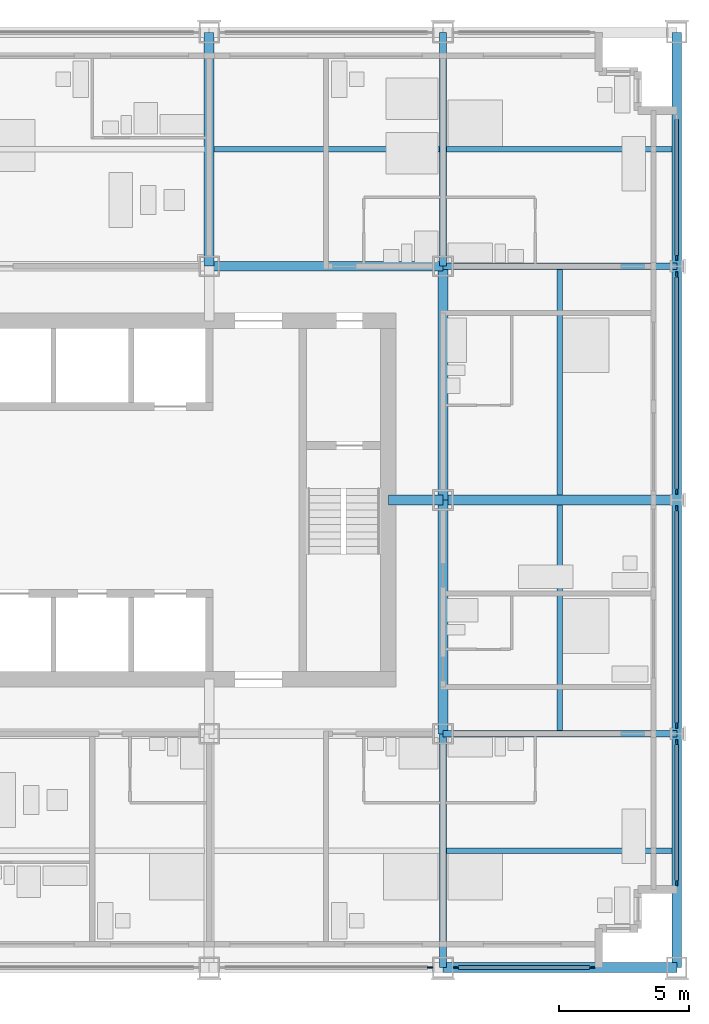
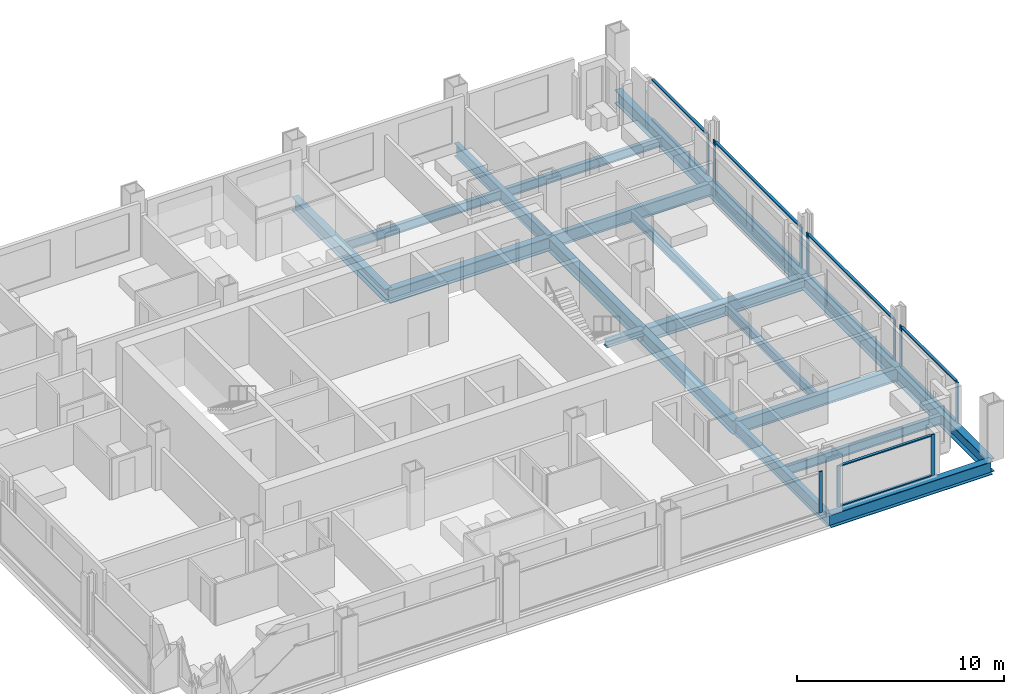
# One storey, part 5 of 16: 21 members, 19 beams, 6 elements without a shape of their own.
"""IFC4 building model written with IfcOpenShell, lengths in metres."""

import ifcopenshell
import ifcopenshell.guid

model = None  # the IFC model being written
_history = None  # IfcOwnerHistory: only IFC2X3 demands one
_inside = {}  # id of a spatial element -> (the spatial element, [elements in it])
_under = {}  # id of a project, library or spatial element -> (it, [spatial elements below it])
_declared = {}  # id of a project -> (the project, [libraries it declares])
_typed = {}  # id of a type object -> (the type object, [elements of that type])
_made_of = {}  # id of a material, layer set ... -> (it, [elements and type objects made of it])


def new_model(schema):
    """Start an empty IFC model of exactly this schema.

    Asked for "IFC4X3", IfcOpenShell would pick the latest addendum, in which some entities
    have other attributes; the version numbers below select the first issue.
    IFC2X3 requires an IfcOwnerHistory on every rooted entity: one is made here for all.
    """
    global model, _history
    if schema == "IFC4X3":
        model = ifcopenshell.file(schema_version=(4, 3, 0, 0))
    else:
        model = ifcopenshell.file(schema=schema)
    _inside.clear()
    _under.clear()
    _declared.clear()
    _typed.clear()
    _made_of.clear()
    _history = None
    if model.schema == "IFC2X3":
        org = make("IfcOrganization", Name="unknown")
        user = make(
            "IfcPersonAndOrganization",
            ThePerson=make("IfcPerson", FamilyName="unknown"),
            TheOrganization=org,
        )
        app = make(
            "IfcApplication",
            ApplicationDeveloper=org,
            Version="unknown",
            ApplicationFullName="unknown",
            ApplicationIdentifier="unknown",
        )
        _history = make(
            "IfcOwnerHistory",
            OwningUser=user,
            OwningApplication=app,
            ChangeAction="ADDED",
            CreationDate=0,
        )
    return model


def make(cls, **values):
    """One entity of the class cls with the attributes given. An attribute that is None is left unset."""
    return model.create_entity(
        cls, **{name: value for name, value in values.items() if value is not None}
    )


def rooted(cls, **values):
    """An entity with a GlobalId (a new one), such as an element, a storey or a relation."""
    return make(cls, GlobalId=ifcopenshell.guid.new(), OwnerHistory=_history, **values)


def si_unit(unit_type, name, prefix=None):
    """IfcSIUnit, for example si_unit("LENGTHUNIT", "METRE", prefix="MILLI")."""
    return make("IfcSIUnit", UnitType=unit_type, Prefix=prefix, Name=name)


def assignment(units):
    """IfcUnitAssignment: the units of a project."""
    return None if units is None else make("IfcUnitAssignment", Units=units)


def point(xyz):
    """IfcCartesianPoint."""
    return None if xyz is None else make("IfcCartesianPoint", Coordinates=xyz)


def direction(xyz):
    """IfcDirection."""
    return None if xyz is None else make("IfcDirection", DirectionRatios=xyz)


def frame(location, z_axis=None, x_axis=None):
    """IfcAxis2Placement3D, a coordinate frame: its origin and axes. An axis left out is left unset."""
    return make(
        "IfcAxis2Placement3D",
        Location=point(location),
        Axis=direction(z_axis),
        RefDirection=direction(x_axis),
    )


def frame_2d(location, x_axis=None):
    """IfcAxis2Placement2D, a coordinate frame in the plane: its origin and x axis."""
    return make(
        "IfcAxis2Placement2D", Location=point(location), RefDirection=direction(x_axis)
    )


def origin():
    """The frame at (0, 0, 0) with its axes left unset."""
    return frame((0.0, 0.0, 0.0))


def origin_2d():
    """The frame at (0, 0) in the plane with its x axis left unset."""
    return frame_2d((0.0, 0.0))


def place(relative_to, where):
    """IfcLocalPlacement: puts the frame where relative to a parent placement (None: the world)."""
    return make(
        "IfcLocalPlacement", PlacementRelTo=relative_to, RelativePlacement=where
    )


def context(
    kind, dimensions, precision=None, world=None, true_north=None, identifier=None
):
    """IfcGeometricRepresentationContext, for example the 3D "Model" context."""
    return make(
        "IfcGeometricRepresentationContext",
        ContextIdentifier=identifier,
        ContextType=kind,
        CoordinateSpaceDimension=dimensions,
        Precision=precision,
        WorldCoordinateSystem=world,
        TrueNorth=true_north,
    )


def subcontext(parent, identifier, kind, view, scale=None):
    """IfcGeometricRepresentationSubContext, for example "Body" below "Model"."""
    return make(
        "IfcGeometricRepresentationSubContext",
        ContextIdentifier=identifier,
        ContextType=kind,
        ParentContext=parent,
        TargetScale=scale,
        TargetView=view,
    )


def project(units=None, contexts=None):
    """IfcProject with its units and contexts."""
    return rooted(
        "IfcProject",
        Name="project",
        RepresentationContexts=contexts,
        UnitsInContext=assignment(units),
    )


def spatial(cls, under=None, at=None, **own):
    """A site, building, storey or space (cls), placed at a placement, below another one or the project."""
    s = rooted(cls, ObjectPlacement=at, **own)
    if under is not None:
        _under.setdefault(under.id(), (under, []))[1].append(s)
    return s


def profile(cls, at=None, kind="AREA", **sizes):
    """A parametric profile (cls). Its sizes go by their IFC names, for example OverallWidth=200.0."""
    return make(cls, ProfileType=kind, Position=at, **sizes)


def rectangle(**sizes):
    """IfcRectangleProfileDef."""
    return profile("IfcRectangleProfileDef", **sizes)


def i_section(**sizes):
    """IfcIShapeProfileDef."""
    return profile("IfcIShapeProfileDef", **sizes)


def extrude(swept, where, along, depth):
    """IfcExtrudedAreaSolid: the profile swept, set in the frame where, extruded along a direction by depth."""
    return make(
        "IfcExtrudedAreaSolid",
        SweptArea=swept,
        Position=where,
        ExtrudedDirection=direction(along),
        Depth=depth,
    )


def shape(context_of_items, identifier, shape_type, items):
    """IfcShapeRepresentation: the items that make up one representation, for example the "Body"."""
    return make(
        "IfcShapeRepresentation",
        ContextOfItems=context_of_items,
        RepresentationIdentifier=identifier,
        RepresentationType=shape_type,
        Items=items,
    )


def material(Name=None, Category=None):
    """IfcMaterial."""
    return make("IfcMaterial", Name=Name, Category=Category)


def material_profile(
    of_material, cross_section, Name=None, Category=None, Priority=None
):
    """IfcMaterialProfile: a cross section and its material."""
    return make(
        "IfcMaterialProfile",
        Name=Name,
        Material=of_material,
        Profile=cross_section,
        Priority=Priority,
        Category=Category,
    )


def profile_set(profiles, Name=None, composite=None):
    """IfcMaterialProfileSet."""
    return make(
        "IfcMaterialProfileSet",
        Name=Name,
        MaterialProfiles=profiles,
        CompositeProfile=composite,
    )


def made_of(thing, what):
    """Note that an element or type object is made of a material, layer set ...; save() writes the relation."""
    if what is not None:
        _made_of.setdefault(what.id(), (what, []))[1].append(thing)
    return thing


def type_object(cls, material=None, **own):
    """A type object (cls), such as IfcWallType, which elements share."""
    return made_of(rooted(cls, **own), material)


def element(
    cls,
    number,
    at=None,
    inside=None,
    cuts=None,
    type_object=None,
    material=None,
    context=None,
    identifier="Body",
    shape_type=None,
    held_by="IfcProductDefinitionShape",
    body=None,
    shapes=None,
    **own,
):
    """One element of the class cls, such as IfcWall. Its Tag is "e" and its number.

    at: its placement. inside: the storey or other place that contains it. cuts: it is an
    opening in that element (IfcRelVoidsElement). A single representation is given by context,
    identifier, shape_type and body (its items); several are given by shapes. held_by: the class
    of the entity that holds the representations. save() writes the other relations.
    """
    e = rooted(cls, Tag="e%d" % number, ObjectPlacement=at, **own)
    if body is not None:
        shapes = [shape(context, identifier, shape_type, body)]
    if shapes is not None:
        e.Representation = make(held_by, Representations=shapes)
    if inside is not None:
        _inside.setdefault(inside.id(), (inside, []))[1].append(e)
    if cuts is not None:
        rooted(
            "IfcRelVoidsElement", RelatingBuildingElement=cuts, RelatedOpeningElement=e
        )
    if type_object is not None:
        _typed.setdefault(type_object.id(), (type_object, []))[1].append(e)
    return made_of(e, material)


def aggregate(whole, parts):
    """IfcRelAggregates: a whole, such as a stair, and the parts it consists of."""
    return rooted("IfcRelAggregates", RelatingObject=whole, RelatedObjects=parts)


def save(model, path):
    """Write the relations noted so far, then the file.

    IfcRelAggregates (storeys below a building ...), IfcRelContainedInSpatialStructure (elements
    in a storey), IfcRelDefinesByType, IfcRelAssociatesMaterial and IfcRelDeclares: one each for
    every whole, place, type object, material and project.
    """
    for whole, parts in _under.values():
        aggregate(whole, parts)
    for where, things in _inside.values():
        rooted(
            "IfcRelContainedInSpatialStructure",
            RelatedElements=things,
            RelatingStructure=where,
        )
    for kind, things in _typed.values():
        rooted("IfcRelDefinesByType", RelatedObjects=things, RelatingType=kind)
    for what, things in _made_of.values():
        rooted("IfcRelAssociatesMaterial", RelatedObjects=things, RelatingMaterial=what)
    for by, libraries in _declared.values():
        rooted("IfcRelDeclares", RelatingContext=by, RelatedDefinitions=libraries)
    model.write(path)


model = new_model("IFC4")

# Units and contexts
model_context = context("Model", 3, precision=1e-05, world=origin(), true_north=direction((0.0, 1.0)))
body_context = subcontext(model_context, "Body", "Model", "MODEL_VIEW")
ifc_project = project(units=[si_unit("LENGTHUNIT", "METRE"), si_unit("AREAUNIT", "SQUARE_METRE"), si_unit("VOLUMEUNIT", "CUBIC_METRE"), si_unit("PLANEANGLEUNIT", "RADIAN"), si_unit("MASSUNIT", "GRAM", prefix="KILO")], contexts=[model_context])

# Site, building, storey
site_placement = place(None, origin())
site = spatial("IfcSite", under=ifc_project, at=site_placement, CompositionType="ELEMENT")
building_placement = place(site_placement, origin())
building = spatial("IfcBuilding", under=site, at=building_placement, Name="Loomwork Tower", CompositionType="ELEMENT")
storey_placement = place(building_placement, frame((0.0, 0.0, 124.800048828125)))
storey = spatial("IfcBuildingStorey", under=building, at=storey_placement, Name="L33", CompositionType="ELEMENT", Elevation=124.800048828125)

# Beams
ifc_material_1 = material(Name="Steel ASTM A992", Category="steel")
ifc_material_profile_1 = material_profile(ifc_material_1, i_section(OverallWidth=0.383544921875, OverallDepth=0.794921875, WebThickness=0.02099609375, FlangeThickness=0.0380859375, at=origin_2d()), Name="W30x235")
ifc_profile_set_1 = profile_set([ifc_material_profile_1], Name="Steel ASTM A992")
beam_type_1 = type_object("IfcBeamType", Name="CORE FLANK GIRDER W30x235", PredefinedType="BEAM", material=ifc_profile_set_1)
for number, where, z_axis, x_axis, name in (
    (1, (36.0, 18.0, -0.59765625), (1.0, 0.0, 0.0), (0.0, 1.0, 0.0), "Core Flank Girder F/6-F/7 L33"),
    (2, (27.0, 27.0, -0.59765625), (1.0, 0.0, 0.0), (0.0, 1.0, 0.0), "Core Flank Girder G/5-G/6 L33"),
    (3, (27.0, 27.0, -0.59765625), (0.0, 1.0, 0.0), (-1.0, 0.0, 0.0), "Core Flank Girder G/5-H/5 L33"),
    (4, (36.0, 9.0, -0.59765625), (0.0, 1.0, 0.0), (-1.0, 0.0, 0.0), "Core Flank Girder E/6-F/6 L33"),
    (5, (36.0, 18.0, -0.59765625), (0.0, 1.0, 0.0), (-1.0, 0.0, 0.0), "Core Flank Girder F/6-G/6 L33"),
):
    element("IfcBeam", number, at=place(storey_placement, frame(where, z_axis=z_axis, x_axis=x_axis)), inside=storey, type_object=beam_type_1, Name=name, PredefinedType="BEAM", context=body_context, shape_type="SweptSolid", body=[
        extrude(i_section(OverallWidth=0.383544921875, OverallDepth=0.794921875, WebThickness=0.02099609375, FlangeThickness=0.0380859375, at=origin_2d()), origin(), (0.0, 0.0, 1.0), 9.0),
    ])

# Member
ifc_material_2 = material(Name="Steel ASTM A992", Category="steel")
ifc_material_profile_2 = material_profile(ifc_material_2, i_section(OverallWidth=0.373291015625, OverallDepth=0.373291015625, WebThickness=0.016357421875, FlangeThickness=0.026123046875, at=origin_2d()), Name="W14x132")
ifc_profile_set_2 = profile_set([ifc_material_profile_2], Name="Steel ASTM A992")
member_type_1 = type_object("IfcMemberType", Name="CORE LINK STRUT W14x132", PredefinedType="STRUT", material=ifc_profile_set_2)
member_1_placement = place(storey_placement, frame((36.0, 18.0, -0.38671875), z_axis=(-1.0, 0.0, 0.0), x_axis=(0.0, -1.0, 0.0)))
element("IfcMember", 6, at=member_1_placement, inside=storey, type_object=member_type_1, Name="Core link strut F/6-33.900,18.000 L33", PredefinedType="STRUT", context=body_context, shape_type="SweptSolid", body=[
    extrude(i_section(OverallWidth=0.373291015625, OverallDepth=0.373291015625, WebThickness=0.016357421875, FlangeThickness=0.026123046875, at=origin_2d()), origin(), (0.0, 0.0, 1.0), 2.10009765625),
])

# Beams
ifc_material_3 = material(Name="Steel ASTM A992", Category="steel")
ifc_material_profile_3 = material_profile(ifc_material_3, i_section(OverallWidth=0.2666015625, OverallDepth=0.761962890625, WebThickness=0.014404296875, FlangeThickness=0.021484375, at=origin_2d()), Name="W30x116")
ifc_profile_set_3 = profile_set([ifc_material_profile_3], Name="Steel ASTM A992")
beam_type_2 = type_object("IfcBeamType", Name="FLOOR GIRDER W30x116", PredefinedType="BEAM", material=ifc_profile_set_3)
for number, where, z_axis, x_axis, name in (
    (7, (36.0, 9.0, -0.5810546875), (1.0, 0.0, 0.0), (0.0, 1.0, 0.0), "Floor Girder E/6-E/7 L33"),
    (8, (36.0, 27.0, -0.5810546875), (1.0, 0.0, 0.0), (0.0, 1.0, 0.0), "Floor Girder G/6-G/7 L33"),
    (9, (36.0, 0.0, -0.5810546875), (0.0, 1.0, 0.0), (-1.0, 0.0, 0.0), "Floor Girder D/6-E/6 L33"),
    (10, (36.0, 27.0, -0.5810546875), (0.0, 1.0, 0.0), (-1.0, 0.0, 0.0), "Floor Girder G/6-H/6 L33"),
):
    element("IfcBeam", number, at=place(storey_placement, frame(where, z_axis=z_axis, x_axis=x_axis)), inside=storey, type_object=beam_type_2, Name=name, PredefinedType="BEAM", context=body_context, shape_type="SweptSolid", body=[
        extrude(i_section(OverallWidth=0.2666015625, OverallDepth=0.761962890625, WebThickness=0.014404296875, FlangeThickness=0.021484375, at=origin_2d()), origin(), (0.0, 0.0, 1.0), 9.0),
    ])
ifc_material_4 = material(Name="Steel ASTM A992", Category="steel")
ifc_material_profile_4 = material_profile(ifc_material_4, i_section(OverallWidth=0.2109375, OverallDepth=0.53857421875, WebThickness=0.011474609375, FlangeThickness=0.018798828125, at=origin_2d()), Name="W21x73")
ifc_profile_set_4 = profile_set([ifc_material_profile_4], Name="Steel ASTM A992")
beam_type_3 = type_object("IfcBeamType", Name="FLOOR JOIST W21x73", PredefinedType="JOIST", material=ifc_profile_set_4)
beam_1_placement = place(storey_placement, frame((27.19091796875, 31.5, -0.46923828125), z_axis=(1.0, 0.0, 0.0), x_axis=(0.0, 1.0, 0.0)))
element("IfcBeam", 11, at=beam_1_placement, inside=storey, type_object=beam_type_3, Name="Floor Joist 27.000,31.500-36.000,31.500 L33", PredefinedType="JOIST", context=body_context, shape_type="SweptSolid", body=[
    extrude(i_section(OverallWidth=0.2109375, OverallDepth=0.53857421875, WebThickness=0.011474609375, FlangeThickness=0.018798828125, at=origin_2d()), origin(), (0.0, 0.0, 1.0), 8.676025390625),
])
beam_2_placement = place(storey_placement, frame((36.133056640625, 4.5, -0.46923828125), z_axis=(1.0, 0.0, 0.0), x_axis=(0.0, 1.0, 0.0)))
element("IfcBeam", 12, at=beam_2_placement, inside=storey, type_object=beam_type_3, Name="Floor Joist 36.000,4.500-45.000,4.500 L33", PredefinedType="JOIST", context=body_context, shape_type="SweptSolid", body=[
    extrude(i_section(OverallWidth=0.2109375, OverallDepth=0.53857421875, WebThickness=0.011474609375, FlangeThickness=0.018798828125, at=origin_2d()), origin(), (0.0, 0.0, 1.0), 8.677001953125),
])
for number, where, z_axis, x_axis, name in (
    (13, (40.5, 9.133056640625, -0.46923828125), (0.0, 1.0, 0.0), (-1.0, 0.0, 0.0), "Floor Joist 40.500,9.000-40.500,18.000 L33"),
    (14, (40.5, 18.19091796875, -0.46923828125), (0.0, 1.0, 0.0), (-1.0, 0.0, 0.0), "Floor Joist 40.500,18.000-40.500,27.000 L33"),
):
    element("IfcBeam", number, at=place(storey_placement, frame(where, z_axis=z_axis, x_axis=x_axis)), inside=storey, type_object=beam_type_3, Name=name, PredefinedType="JOIST", context=body_context, shape_type="SweptSolid", body=[
        extrude(i_section(OverallWidth=0.2109375, OverallDepth=0.53857421875, WebThickness=0.011474609375, FlangeThickness=0.018798828125, at=origin_2d()), origin(), (0.0, 0.0, 1.0), 8.676025390625),
    ])
beam_3_placement = place(storey_placement, frame((36.133056640625, 31.5, -0.46923828125), z_axis=(1.0, 0.0, 0.0), x_axis=(0.0, 1.0, 0.0)))
element("IfcBeam", 15, at=beam_3_placement, inside=storey, type_object=beam_type_3, Name="Floor Joist 36.000,31.500-45.000,31.500 L33", PredefinedType="JOIST", context=body_context, shape_type="SweptSolid", body=[
    extrude(i_section(OverallWidth=0.2109375, OverallDepth=0.53857421875, WebThickness=0.011474609375, FlangeThickness=0.018798828125, at=origin_2d()), origin(), (0.0, 0.0, 1.0), 8.677001953125),
])

# Curtain wall, member
ifc_material_5 = material(Name="Aluminium curtain wall frame", Category="aluminium")
curtain_wall_type = type_object("IfcCurtainWallType", Name="Outer skin glazing hotel", PredefinedType="NOTDEFINED", material=ifc_material_5)
curtain_wall_1_placement = place(storey_placement, origin())
curtain_wall_1 = element("IfcCurtainWall", 16, at=curtain_wall_1_placement, inside=storey, type_object=curtain_wall_type, Name="Outer skin glazing hotel cw/S-27", PredefinedType="NOTDEFINED")
ifc_material_6 = material(Name="Aluminium curtain wall frame", Category="aluminium")
ifc_material_profile_5 = material_profile(ifc_material_6, rectangle(XDim=0.06494140625, YDim=0.199951171875, at=origin_2d()), Name="AL 65x200")
ifc_profile_set_5 = profile_set([ifc_material_profile_5], Name="Aluminium curtain wall frame")
member_type_2 = type_object("IfcMemberType", Name="Outer skin glazing hotel mullion", PredefinedType="MULLION", material=ifc_profile_set_5)
member_2_placement = place(storey_placement, frame((35.5, 0.0, 0.0), z_axis=(0.0, 0.0, 1.0), x_axis=(0.0, 1.0, 0.0)))
member_2 = element("IfcMember", 17, at=member_2_placement, type_object=member_type_2, Name="CW1 mullion 2", PredefinedType="MULLION", context=body_context, shape_type="SweptSolid", body=[
    extrude(rectangle(XDim=0.06494140625, YDim=0.199951171875, at=origin_2d()), origin(), (0.0, 0.0, 1.0), 2.420166015625),
])
aggregate(curtain_wall_1, [member_2])

# Curtain wall, members
curtain_wall_2_placement = place(storey_placement, origin())
curtain_wall_2 = element("IfcCurtainWall", 18, at=curtain_wall_2_placement, inside=storey, type_object=curtain_wall_type, Name="Outer skin glazing hotel cw/S-36", PredefinedType="NOTDEFINED")
member_3_placement = place(storey_placement, frame((36.5, 0.0, 0.0), z_axis=(0.0, 0.0, 1.0), x_axis=(0.0, 1.0, 0.0)))
member_3 = element("IfcMember", 19, at=member_3_placement, type_object=member_type_2, Name="CW1 mullion 1", PredefinedType="MULLION", context=body_context, shape_type="SweptSolid", body=[
    extrude(rectangle(XDim=0.06494140625, YDim=0.199951171875, at=origin_2d()), origin(), (0.0, 0.0, 1.0), 2.420166015625),
])
member_4_placement = place(storey_placement, frame((41.75, 0.0, 0.0), z_axis=(0.0, 0.0, 1.0), x_axis=(0.0, 1.0, 0.0)))
member_4 = element("IfcMember", 20, at=member_4_placement, type_object=member_type_2, Name="CW1 mullion 2", PredefinedType="MULLION", context=body_context, shape_type="SweptSolid", body=[
    extrude(rectangle(XDim=0.06494140625, YDim=0.199951171875, at=origin_2d()), origin(), (0.0, 0.0, 1.0), 2.420166015625),
])

curtain_wall_3_placement = place(storey_placement, origin())
curtain_wall_3 = element("IfcCurtainWall", 21, at=curtain_wall_3_placement, inside=storey, type_object=curtain_wall_type, Name="Outer skin glazing hotel cw/E-0", PredefinedType="NOTDEFINED")
member_5_placement = place(storey_placement, frame((45.0, 3.25, 0.0), z_axis=(0.0, 0.0, 1.0), x_axis=(-1.0, 0.0, 0.0)))
member_5 = element("IfcMember", 22, at=member_5_placement, type_object=member_type_2, Name="CW1 mullion 1", PredefinedType="MULLION", context=body_context, shape_type="SweptSolid", body=[
    extrude(rectangle(XDim=0.06494140625, YDim=0.199951171875, at=origin_2d()), origin(), (0.0, 0.0, 1.0), 2.420166015625),
])
member_6_placement = place(storey_placement, frame((45.0, 8.678955078125, 0.0), z_axis=(0.0, 0.0, 1.0), x_axis=(-1.0, 0.0, 0.0)))
member_6 = element("IfcMember", 23, at=member_6_placement, type_object=member_type_2, Name="CW1 mullion 2", PredefinedType="MULLION", context=body_context, shape_type="SweptSolid", body=[
    extrude(rectangle(XDim=0.06494140625, YDim=0.199951171875, at=origin_2d()), origin(), (0.0, 0.0, 1.0), 2.420166015625),
])

curtain_wall_4_placement = place(storey_placement, origin())
curtain_wall_4 = element("IfcCurtainWall", 24, at=curtain_wall_4_placement, inside=storey, type_object=curtain_wall_type, Name="Outer skin glazing hotel cw/E-9", PredefinedType="NOTDEFINED")
member_7_placement = place(storey_placement, frame((45.0, 9.321044921875, 0.0), z_axis=(0.0, 0.0, 1.0), x_axis=(-1.0, 0.0, 0.0)))
member_7 = element("IfcMember", 25, at=member_7_placement, type_object=member_type_2, Name="CW1 mullion 1", PredefinedType="MULLION", context=body_context, shape_type="SweptSolid", body=[
    extrude(rectangle(XDim=0.06494140625, YDim=0.199951171875, at=origin_2d()), origin(), (0.0, 0.0, 1.0), 2.420166015625),
])
member_8_placement = place(storey_placement, frame((45.0, 17.678955078125, 0.0), z_axis=(0.0, 0.0, 1.0), x_axis=(-1.0, 0.0, 0.0)))
member_8 = element("IfcMember", 26, at=member_8_placement, type_object=member_type_2, Name="CW1 mullion 2", PredefinedType="MULLION", context=body_context, shape_type="SweptSolid", body=[
    extrude(rectangle(XDim=0.06494140625, YDim=0.199951171875, at=origin_2d()), origin(), (0.0, 0.0, 1.0), 2.420166015625),
])

curtain_wall_5_placement = place(storey_placement, origin())
curtain_wall_5 = element("IfcCurtainWall", 27, at=curtain_wall_5_placement, inside=storey, type_object=curtain_wall_type, Name="Outer skin glazing hotel cw/E-18", PredefinedType="NOTDEFINED")
member_9_placement = place(storey_placement, frame((45.0, 18.321044921875, 0.0), z_axis=(0.0, 0.0, 1.0), x_axis=(-1.0, 0.0, 0.0)))
member_9 = element("IfcMember", 28, at=member_9_placement, type_object=member_type_2, Name="CW1 mullion 1", PredefinedType="MULLION", context=body_context, shape_type="SweptSolid", body=[
    extrude(rectangle(XDim=0.06494140625, YDim=0.199951171875, at=origin_2d()), origin(), (0.0, 0.0, 1.0), 2.420166015625),
])
member_10_placement = place(storey_placement, frame((45.0, 26.678955078125, 0.0), z_axis=(0.0, 0.0, 1.0), x_axis=(-1.0, 0.0, 0.0)))
member_10 = element("IfcMember", 29, at=member_10_placement, type_object=member_type_2, Name="CW1 mullion 2", PredefinedType="MULLION", context=body_context, shape_type="SweptSolid", body=[
    extrude(rectangle(XDim=0.06494140625, YDim=0.199951171875, at=origin_2d()), origin(), (0.0, 0.0, 1.0), 2.420166015625),
])

# Curtain wall, member
curtain_wall_6_placement = place(storey_placement, origin())
curtain_wall_6 = element("IfcCurtainWall", 30, at=curtain_wall_6_placement, inside=storey, type_object=curtain_wall_type, Name="Outer skin glazing hotel cw/E-27", PredefinedType="NOTDEFINED")
member_11_placement = place(storey_placement, frame((45.0, 27.321044921875, 0.0), z_axis=(0.0, 0.0, 1.0), x_axis=(-1.0, 0.0, 0.0)))
member_11 = element("IfcMember", 31, at=member_11_placement, type_object=member_type_2, Name="CW1 mullion 1", PredefinedType="MULLION", context=body_context, shape_type="SweptSolid", body=[
    extrude(rectangle(XDim=0.06494140625, YDim=0.199951171875, at=origin_2d()), origin(), (0.0, 0.0, 1.0), 2.420166015625),
])

# Member
ifc_material_7 = material(Name="Aluminium curtain wall frame", Category="aluminium")
ifc_material_profile_6 = material_profile(ifc_material_7, rectangle(XDim=0.14990234375, YDim=0.06494140625, at=origin_2d()), Name="AL 65x150")
ifc_profile_set_6 = profile_set([ifc_material_profile_6], Name="Aluminium curtain wall frame")
member_type_3 = type_object("IfcMemberType", Name="Outer skin glazing hotel transom", PredefinedType="USERDEFINED", material=ifc_profile_set_6)
member_12_placement = place(storey_placement, frame((36.60009765625, 0.0, 0.032470703125), z_axis=(1.0, 0.0, 0.0), x_axis=(0.0, 1.0, 0.0)))
member_12 = element("IfcMember", 32, at=member_12_placement, type_object=member_type_3, Name="CW1 transom 1.1", ObjectType="TRANSOM", PredefinedType="USERDEFINED", context=body_context, shape_type="SweptSolid", body=[
    extrude(rectangle(XDim=0.14990234375, YDim=0.06494140625, at=origin_2d()), origin(), (0.0, 0.0, 1.0), 5.0498046875),
])

member_13_placement = place(storey_placement, frame((36.60009765625, 0.0, 2.3876953125), z_axis=(1.0, 0.0, 0.0), x_axis=(0.0, 1.0, 0.0)))
member_13 = element("IfcMember", 33, at=member_13_placement, type_object=member_type_3, Name="CW1 transom 1.2", ObjectType="TRANSOM", PredefinedType="USERDEFINED", context=body_context, shape_type="SweptSolid", body=[
    extrude(rectangle(XDim=0.14990234375, YDim=0.06494140625, at=origin_2d()), origin(), (0.0, 0.0, 1.0), 5.0498046875),
])

aggregate(curtain_wall_2, [member_3, member_4, member_12, member_13])

member_14_placement = place(storey_placement, frame((45.0, 3.35009765625, 0.032470703125), z_axis=(0.0, 1.0, 0.0), x_axis=(-1.0, 0.0, 0.0)))
member_14 = element("IfcMember", 34, at=member_14_placement, type_object=member_type_3, Name="CW1 transom 1.1", ObjectType="TRANSOM", PredefinedType="USERDEFINED", context=body_context, shape_type="SweptSolid", body=[
    extrude(rectangle(XDim=0.14990234375, YDim=0.06494140625, at=origin_2d()), origin(), (0.0, 0.0, 1.0), 5.22900390625),
])

member_15_placement = place(storey_placement, frame((45.0, 3.35009765625, 2.3876953125), z_axis=(0.0, 1.0, 0.0), x_axis=(-1.0, 0.0, 0.0)))
member_15 = element("IfcMember", 35, at=member_15_placement, type_object=member_type_3, Name="CW1 transom 1.2", ObjectType="TRANSOM", PredefinedType="USERDEFINED", context=body_context, shape_type="SweptSolid", body=[
    extrude(rectangle(XDim=0.14990234375, YDim=0.06494140625, at=origin_2d()), origin(), (0.0, 0.0, 1.0), 5.22900390625),
])

aggregate(curtain_wall_3, [member_5, member_6, member_14, member_15])

member_16_placement = place(storey_placement, frame((45.0, 9.4208984375, 0.032470703125), z_axis=(0.0, 1.0, 0.0), x_axis=(-1.0, 0.0, 0.0)))
member_16 = element("IfcMember", 36, at=member_16_placement, type_object=member_type_3, Name="CW1 transom 1.1", ObjectType="TRANSOM", PredefinedType="USERDEFINED", context=body_context, shape_type="SweptSolid", body=[
    extrude(rectangle(XDim=0.14990234375, YDim=0.06494140625, at=origin_2d()), origin(), (0.0, 0.0, 1.0), 8.158203125),
])

member_17_placement = place(storey_placement, frame((45.0, 9.4208984375, 2.3876953125), z_axis=(0.0, 1.0, 0.0), x_axis=(-1.0, 0.0, 0.0)))
member_17 = element("IfcMember", 37, at=member_17_placement, type_object=member_type_3, Name="CW1 transom 1.2", ObjectType="TRANSOM", PredefinedType="USERDEFINED", context=body_context, shape_type="SweptSolid", body=[
    extrude(rectangle(XDim=0.14990234375, YDim=0.06494140625, at=origin_2d()), origin(), (0.0, 0.0, 1.0), 8.158203125),
])

aggregate(curtain_wall_4, [member_7, member_8, member_16, member_17])

member_18_placement = place(storey_placement, frame((45.0, 18.4208984375, 0.032470703125), z_axis=(0.0, 1.0, 0.0), x_axis=(-1.0, 0.0, 0.0)))
member_18 = element("IfcMember", 38, at=member_18_placement, type_object=member_type_3, Name="CW1 transom 1.1", ObjectType="TRANSOM", PredefinedType="USERDEFINED", context=body_context, shape_type="SweptSolid", body=[
    extrude(rectangle(XDim=0.14990234375, YDim=0.06494140625, at=origin_2d()), origin(), (0.0, 0.0, 1.0), 8.158203125),
])

member_19_placement = place(storey_placement, frame((45.0, 18.4208984375, 2.3876953125), z_axis=(0.0, 1.0, 0.0), x_axis=(-1.0, 0.0, 0.0)))
member_19 = element("IfcMember", 39, at=member_19_placement, type_object=member_type_3, Name="CW1 transom 1.2", ObjectType="TRANSOM", PredefinedType="USERDEFINED", context=body_context, shape_type="SweptSolid", body=[
    extrude(rectangle(XDim=0.14990234375, YDim=0.06494140625, at=origin_2d()), origin(), (0.0, 0.0, 1.0), 8.158203125),
])

aggregate(curtain_wall_5, [member_9, member_10, member_18, member_19])

member_20_placement = place(storey_placement, frame((45.0, 27.4208984375, 0.032470703125), z_axis=(0.0, 1.0, 0.0), x_axis=(-1.0, 0.0, 0.0)))
member_20 = element("IfcMember", 40, at=member_20_placement, type_object=member_type_3, Name="CW1 transom 1.1", ObjectType="TRANSOM", PredefinedType="USERDEFINED", context=body_context, shape_type="SweptSolid", body=[
    extrude(rectangle(XDim=0.14990234375, YDim=0.06494140625, at=origin_2d()), origin(), (0.0, 0.0, 1.0), 5.22900390625),
])

member_21_placement = place(storey_placement, frame((45.0, 27.4208984375, 2.3876953125), z_axis=(0.0, 1.0, 0.0), x_axis=(-1.0, 0.0, 0.0)))
member_21 = element("IfcMember", 41, at=member_21_placement, type_object=member_type_3, Name="CW1 transom 1.2", ObjectType="TRANSOM", PredefinedType="USERDEFINED", context=body_context, shape_type="SweptSolid", body=[
    extrude(rectangle(XDim=0.14990234375, YDim=0.06494140625, at=origin_2d()), origin(), (0.0, 0.0, 1.0), 5.22900390625),
])

aggregate(curtain_wall_6, [member_11, member_20, member_21])

# Beams
ifc_material_8 = material(Name="Steel ASTM A992", Category="steel")
ifc_material_profile_7 = material_profile(ifc_material_8, i_section(OverallWidth=0.381103515625, OverallDepth=0.77978515625, WebThickness=0.01806640625, FlangeThickness=0.0302734375, at=origin_2d()), Name="W30x191")
ifc_profile_set_7 = profile_set([ifc_material_profile_7], Name="Steel ASTM A992")
beam_type_4 = type_object("IfcBeamType", Name="SPANDREL GIRDER W30x191", PredefinedType="SPANDREL", material=ifc_profile_set_7)
for number, where, z_axis, x_axis, name in (
    (42, (36.0, 0.0, -0.58984375), (1.0, 0.0, 0.0), (0.0, 1.0, 0.0), "Spandrel Girder D/6-D/7 L33"),
    (43, (45.0, 0.0, -0.58984375), (0.0, 1.0, 0.0), (-1.0, 0.0, 0.0), "Spandrel Girder D/7-E/7 L33"),
    (44, (45.0, 9.0, -0.58984375), (0.0, 1.0, 0.0), (-1.0, 0.0, 0.0), "Spandrel Girder E/7-F/7 L33"),
    (45, (45.0, 18.0, -0.58984375), (0.0, 1.0, 0.0), (-1.0, 0.0, 0.0), "Spandrel Girder F/7-G/7 L33"),
    (46, (45.0, 27.0, -0.58984375), (0.0, 1.0, 0.0), (-1.0, 0.0, 0.0), "Spandrel Girder G/7-H/7 L33"),
):
    element("IfcBeam", number, at=place(storey_placement, frame(where, z_axis=z_axis, x_axis=x_axis)), inside=storey, type_object=beam_type_4, Name=name, PredefinedType="SPANDREL", context=body_context, shape_type="SweptSolid", body=[
        extrude(i_section(OverallWidth=0.381103515625, OverallDepth=0.77978515625, WebThickness=0.01806640625, FlangeThickness=0.0302734375, at=origin_2d()), origin(), (0.0, 0.0, 1.0), 9.0),
    ])

save(model, "model.ifc")
